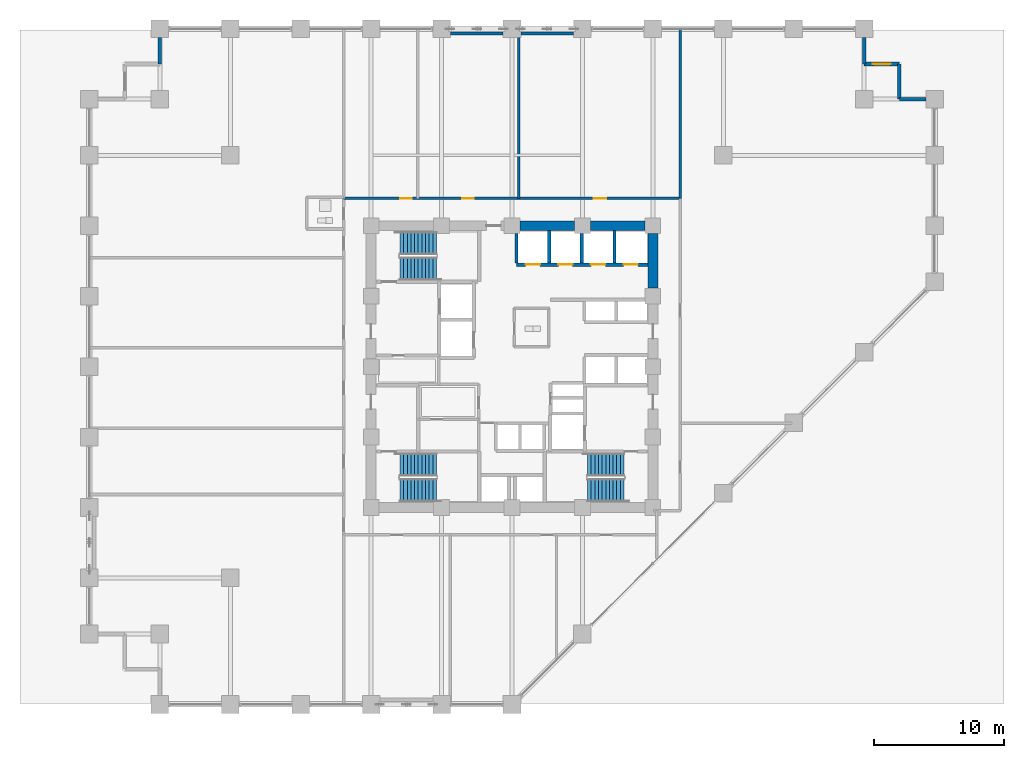
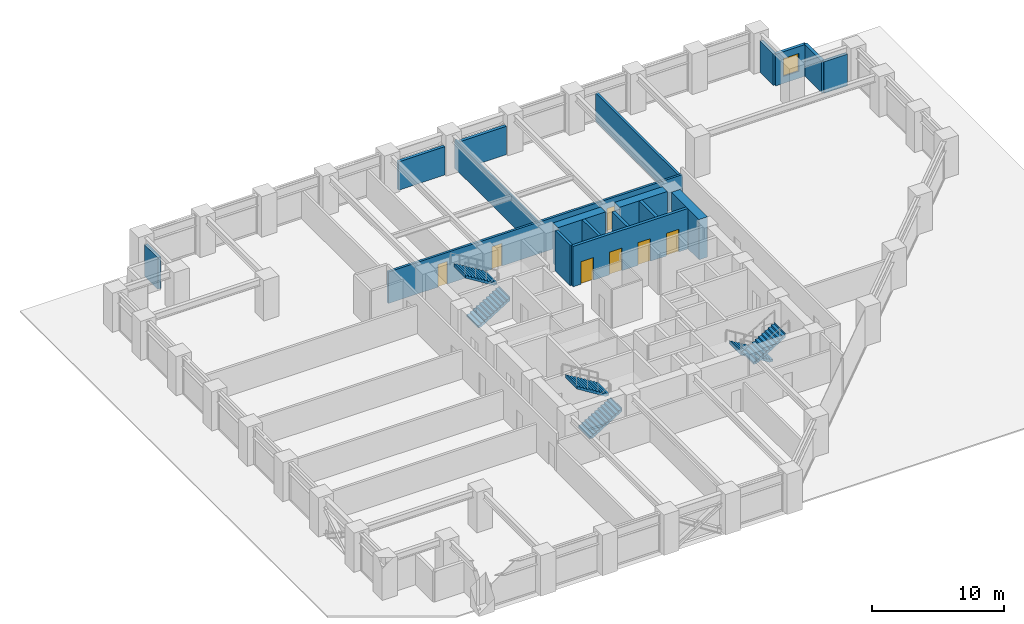
# One storey, part 22 of 27: 18 walls, 7 doors, 6 stair flights, 1 window, 8 openings, 3 elements without a shape of their own.
"""IFC4 building model written with IfcOpenShell, lengths in metres."""

import ifcopenshell
import ifcopenshell.guid

model = None  # the IFC model being written
_history = None  # IfcOwnerHistory: only IFC2X3 demands one
_inside = {}  # id of a spatial element -> (the spatial element, [elements in it])
_under = {}  # id of a project, library or spatial element -> (it, [spatial elements below it])
_declared = {}  # id of a project -> (the project, [libraries it declares])
_typed = {}  # id of a type object -> (the type object, [elements of that type])
_made_of = {}  # id of a material, layer set ... -> (it, [elements and type objects made of it])


def new_model(schema):
    """Start an empty IFC model of exactly this schema.

    Asked for "IFC4X3", IfcOpenShell would pick the latest addendum, in which some entities
    have other attributes; the version numbers below select the first issue.
    IFC2X3 requires an IfcOwnerHistory on every rooted entity: one is made here for all.
    """
    global model, _history
    if schema == "IFC4X3":
        model = ifcopenshell.file(schema_version=(4, 3, 0, 0))
    else:
        model = ifcopenshell.file(schema=schema)
    _inside.clear()
    _under.clear()
    _declared.clear()
    _typed.clear()
    _made_of.clear()
    _history = None
    if model.schema == "IFC2X3":
        org = make("IfcOrganization", Name="unknown")
        user = make(
            "IfcPersonAndOrganization",
            ThePerson=make("IfcPerson", FamilyName="unknown"),
            TheOrganization=org,
        )
        app = make(
            "IfcApplication",
            ApplicationDeveloper=org,
            Version="unknown",
            ApplicationFullName="unknown",
            ApplicationIdentifier="unknown",
        )
        _history = make(
            "IfcOwnerHistory",
            OwningUser=user,
            OwningApplication=app,
            ChangeAction="ADDED",
            CreationDate=0,
        )
    return model


def make(cls, **values):
    """One entity of the class cls with the attributes given. An attribute that is None is left unset."""
    return model.create_entity(
        cls, **{name: value for name, value in values.items() if value is not None}
    )


def rooted(cls, **values):
    """An entity with a GlobalId (a new one), such as an element, a storey or a relation."""
    return make(cls, GlobalId=ifcopenshell.guid.new(), OwnerHistory=_history, **values)


def si_unit(unit_type, name, prefix=None):
    """IfcSIUnit, for example si_unit("LENGTHUNIT", "METRE", prefix="MILLI")."""
    return make("IfcSIUnit", UnitType=unit_type, Prefix=prefix, Name=name)


def assignment(units):
    """IfcUnitAssignment: the units of a project."""
    return None if units is None else make("IfcUnitAssignment", Units=units)


def point(xyz):
    """IfcCartesianPoint."""
    return None if xyz is None else make("IfcCartesianPoint", Coordinates=xyz)


def direction(xyz):
    """IfcDirection."""
    return None if xyz is None else make("IfcDirection", DirectionRatios=xyz)


def frame(location, z_axis=None, x_axis=None):
    """IfcAxis2Placement3D, a coordinate frame: its origin and axes. An axis left out is left unset."""
    return make(
        "IfcAxis2Placement3D",
        Location=point(location),
        Axis=direction(z_axis),
        RefDirection=direction(x_axis),
    )


def frame_2d(location, x_axis=None):
    """IfcAxis2Placement2D, a coordinate frame in the plane: its origin and x axis."""
    return make(
        "IfcAxis2Placement2D", Location=point(location), RefDirection=direction(x_axis)
    )


def origin():
    """The frame at (0, 0, 0) with its axes left unset."""
    return frame((0.0, 0.0, 0.0))


def place(relative_to, where):
    """IfcLocalPlacement: puts the frame where relative to a parent placement (None: the world)."""
    return make(
        "IfcLocalPlacement", PlacementRelTo=relative_to, RelativePlacement=where
    )


def context(
    kind, dimensions, precision=None, world=None, true_north=None, identifier=None
):
    """IfcGeometricRepresentationContext, for example the 3D "Model" context."""
    return make(
        "IfcGeometricRepresentationContext",
        ContextIdentifier=identifier,
        ContextType=kind,
        CoordinateSpaceDimension=dimensions,
        Precision=precision,
        WorldCoordinateSystem=world,
        TrueNorth=true_north,
    )


def subcontext(parent, identifier, kind, view, scale=None):
    """IfcGeometricRepresentationSubContext, for example "Body" below "Model"."""
    return make(
        "IfcGeometricRepresentationSubContext",
        ContextIdentifier=identifier,
        ContextType=kind,
        ParentContext=parent,
        TargetScale=scale,
        TargetView=view,
    )


def project(units=None, contexts=None):
    """IfcProject with its units and contexts."""
    return rooted(
        "IfcProject",
        Name="project",
        RepresentationContexts=contexts,
        UnitsInContext=assignment(units),
    )


def spatial(cls, under=None, at=None, **own):
    """A site, building, storey or space (cls), placed at a placement, below another one or the project."""
    s = rooted(cls, ObjectPlacement=at, **own)
    if under is not None:
        _under.setdefault(under.id(), (under, []))[1].append(s)
    return s


def polyline(points):
    """IfcPolyline through the points."""
    return make("IfcPolyline", Points=[point(p) for p in points])


def profile(cls, at=None, kind="AREA", **sizes):
    """A parametric profile (cls). Its sizes go by their IFC names, for example OverallWidth=200.0."""
    return make(cls, ProfileType=kind, Position=at, **sizes)


def rectangle(**sizes):
    """IfcRectangleProfileDef."""
    return profile("IfcRectangleProfileDef", **sizes)


def outline(outer, holes=None, kind="AREA"):
    """IfcArbitraryClosedProfileDef: a profile drawn as a closed curve; with holes, ...WithVoids."""
    if holes is None:
        return make("IfcArbitraryClosedProfileDef", ProfileType=kind, OuterCurve=outer)
    return make(
        "IfcArbitraryProfileDefWithVoids",
        ProfileType=kind,
        OuterCurve=outer,
        InnerCurves=holes,
    )


def extrude(swept, where, along, depth):
    """IfcExtrudedAreaSolid: the profile swept, set in the frame where, extruded along a direction by depth."""
    return make(
        "IfcExtrudedAreaSolid",
        SweptArea=swept,
        Position=where,
        ExtrudedDirection=direction(along),
        Depth=depth,
    )


def shape(context_of_items, identifier, shape_type, items):
    """IfcShapeRepresentation: the items that make up one representation, for example the "Body"."""
    return make(
        "IfcShapeRepresentation",
        ContextOfItems=context_of_items,
        RepresentationIdentifier=identifier,
        RepresentationType=shape_type,
        Items=items,
    )


def material(Name=None, Category=None):
    """IfcMaterial."""
    return make("IfcMaterial", Name=Name, Category=Category)


def layer(
    of_material, thickness, ventilated=None, Name=None, Category=None, Priority=None
):
    """IfcMaterialLayer: one layer of a wall or slab, of a material (None: an air gap)."""
    return make(
        "IfcMaterialLayer",
        Material=of_material,
        LayerThickness=thickness,
        IsVentilated=ventilated,
        Name=Name,
        Category=Category,
        Priority=Priority,
    )


def layer_set(layers, Name=None):
    """IfcMaterialLayerSet."""
    return make("IfcMaterialLayerSet", MaterialLayers=layers, LayerSetName=Name)


def made_of(thing, what):
    """Note that an element or type object is made of a material, layer set ...; save() writes the relation."""
    if what is not None:
        _made_of.setdefault(what.id(), (what, []))[1].append(thing)
    return thing


def type_object(cls, material=None, **own):
    """A type object (cls), such as IfcWallType, which elements share."""
    return made_of(rooted(cls, **own), material)


def element(
    cls,
    number,
    at=None,
    inside=None,
    cuts=None,
    type_object=None,
    material=None,
    context=None,
    identifier="Body",
    shape_type=None,
    held_by="IfcProductDefinitionShape",
    body=None,
    shapes=None,
    **own,
):
    """One element of the class cls, such as IfcWall. Its Tag is "e" and its number.

    at: its placement. inside: the storey or other place that contains it. cuts: it is an
    opening in that element (IfcRelVoidsElement). A single representation is given by context,
    identifier, shape_type and body (its items); several are given by shapes. held_by: the class
    of the entity that holds the representations. save() writes the other relations.
    """
    e = rooted(cls, Tag="e%d" % number, ObjectPlacement=at, **own)
    if body is not None:
        shapes = [shape(context, identifier, shape_type, body)]
    if shapes is not None:
        e.Representation = make(held_by, Representations=shapes)
    if inside is not None:
        _inside.setdefault(inside.id(), (inside, []))[1].append(e)
    if cuts is not None:
        rooted(
            "IfcRelVoidsElement", RelatingBuildingElement=cuts, RelatedOpeningElement=e
        )
    if type_object is not None:
        _typed.setdefault(type_object.id(), (type_object, []))[1].append(e)
    return made_of(e, material)


def fill(opening, filler):
    """IfcRelFillsElement: the door or window that sits in an opening."""
    return rooted(
        "IfcRelFillsElement",
        RelatingOpeningElement=opening,
        RelatedBuildingElement=filler,
    )


def aggregate(whole, parts):
    """IfcRelAggregates: a whole, such as a stair, and the parts it consists of."""
    return rooted("IfcRelAggregates", RelatingObject=whole, RelatedObjects=parts)


def save(model, path):
    """Write the relations noted so far, then the file.

    IfcRelAggregates (storeys below a building ...), IfcRelContainedInSpatialStructure (elements
    in a storey), IfcRelDefinesByType, IfcRelAssociatesMaterial and IfcRelDeclares: one each for
    every whole, place, type object, material and project.
    """
    for whole, parts in _under.values():
        aggregate(whole, parts)
    for where, things in _inside.values():
        rooted(
            "IfcRelContainedInSpatialStructure",
            RelatedElements=things,
            RelatingStructure=where,
        )
    for kind, things in _typed.values():
        rooted("IfcRelDefinesByType", RelatedObjects=things, RelatingType=kind)
    for what, things in _made_of.values():
        rooted("IfcRelAssociatesMaterial", RelatedObjects=things, RelatingMaterial=what)
    for by, libraries in _declared.values():
        rooted("IfcRelDeclares", RelatingContext=by, RelatedDefinitions=libraries)
    model.write(path)


model = new_model("IFC4")

# Units and contexts
model_context = context("Model", 3, precision=1e-05, world=origin(), true_north=direction((0.0, 1.0)))
body_context = subcontext(model_context, "Body", "Model", "MODEL_VIEW")
ifc_project = project(units=[si_unit("LENGTHUNIT", "METRE"), si_unit("AREAUNIT", "SQUARE_METRE"), si_unit("VOLUMEUNIT", "CUBIC_METRE"), si_unit("PLANEANGLEUNIT", "RADIAN"), si_unit("MASSUNIT", "GRAM", prefix="KILO")], contexts=[model_context])

# Site, building, storey
site_placement = place(None, origin())
site = spatial("IfcSite", under=ifc_project, at=site_placement, CompositionType="ELEMENT")
building_placement = place(site_placement, origin())
building = spatial("IfcBuilding", under=site, at=building_placement, Name="Surkhivell Harbour Commons", CompositionType="ELEMENT")
storey_placement = place(building_placement, frame((0.0, 0.0, 22.5)))
storey = spatial("IfcBuildingStorey", under=building, at=storey_placement, Name="L05", CompositionType="ELEMENT", Elevation=22.5)

# Walls
ifc_material_1 = material(Name="Concrete C60/75", Category="concrete")
ifc_layer_1 = layer(ifc_material_1, 0.75)
ifc_layer_set_1 = layer_set([ifc_layer_1], Name="Concrete C60/75")
wall_type_1 = type_object("IfcWallType", Name="WAL-CORE-750", PredefinedType="SHEAR", material=ifc_layer_set_1)
for number, where, z_axis, x_axis, name in (
    (1, (0.610107421875, 10.800048828125, 0.0), (0.0, 0.0, 1.0), (1.0, 0.0, 0.0), "L05 Core Shear Wall North 3"),
    (2, (6.010009765625, 10.800048828125, 0.0), (0.0, 0.0, 1.0), (1.0, 0.0, 0.0), "L05 Core Shear Wall North 4"),
    (3, (10.800048828125, 6.010009765625, 0.0), (0.0, 0.0, 1.0), (0.0, 1.0, 0.0), "L05 Core Shear Wall East 4"),
):
    element("IfcWall", number, at=place(storey_placement, frame(where, z_axis=z_axis, x_axis=x_axis)), inside=storey, type_object=wall_type_1, Name=name, PredefinedType="SHEAR", context=body_context, shape_type="SweptSolid", body=[
        extrude(rectangle(XDim=4.179931640625, YDim=0.75, at=frame_2d((2.08984375, 0.0))), origin(), (0.0, 0.0, 1.0), 3.75),
    ])
ifc_material_2 = material(Name="Pale-metal insulated precast concrete C45/55", Category="concrete")
ifc_layer_2 = layer(ifc_material_2, 0.260009765625)
ifc_layer_set_2 = layer_set([ifc_layer_2], Name="Pale-metal insulated precast concrete C45/55")
wall_type_2 = type_object("IfcWallType", Name="WAL-EXT-MTL260", PredefinedType="STANDARD", material=ifc_layer_set_2)
for number, where, z_axis, x_axis, name in (
    (4, (-0.673095703125, 25.5400390625, 0.0), (0.0, 0.0, 1.0), (-1.0, 0.0, 0.0), "L05 Braced-Bay Insulated Spandrel Backing N"),
    (5, (4.72705078125, 25.5400390625, 0.0), (0.0, 0.0, 1.0), (-1.0, 0.0, 0.0), "L05 Braced-Bay Insulated Spandrel Backing N2"),
):
    element("IfcWall", number, at=place(storey_placement, frame(where, z_axis=z_axis, x_axis=x_axis)), inside=storey, type_object=wall_type_2, Name=name, PredefinedType="STANDARD", context=body_context, shape_type="SweptSolid", body=[
        extrude(rectangle(XDim=4.053955078125, YDim=0.260009765625, at=frame_2d((2.02685546875, 0.0))), origin(), (0.0, 0.0, 1.0), 2.62890625),
    ])
ifc_material_3 = material(Name="Terracotta-clad reinforced concrete C45/55", Category="masonry")
ifc_layer_3 = layer(ifc_material_3, 0.280029296875)
ifc_layer_set_3 = layer_set([ifc_layer_3], Name="Terracotta-clad reinforced concrete C45/55")
wall_type_3 = type_object("IfcWallType", Name="WAL-EXT-TER280", PredefinedType="STANDARD", material=ifc_layer_set_3)
wall_1_placement = place(storey_placement, frame((31.72705078125, 20.5, 0.0), z_axis=(0.0, 0.0, 1.0), x_axis=(-1.0, 0.0, 0.0)))
element("IfcWall", 6, at=wall_1_placement, inside=storey, type_object=wall_type_3, Name="L05 Serrated Corner Facade Wall 03", PredefinedType="STANDARD", context=body_context, shape_type="SweptSolid", body=[
    extrude(rectangle(XDim=2.027099609375, YDim=0.280029296875, at=frame_2d((1.013671875, 0.0))), origin(), (0.0, 0.0, 1.0), 2.929931640625),
])
wall_2_placement = place(storey_placement, frame((29.699951171875, 20.5, 0.0), z_axis=(0.0, 0.0, 1.0), x_axis=(0.0, 1.0, 0.0)))
element("IfcWall", 7, at=wall_2_placement, inside=storey, type_object=wall_type_3, Name="L05 Serrated Corner Facade Wall 04", PredefinedType="STANDARD", context=body_context, shape_type="SweptSolid", body=[
    extrude(rectangle(XDim=2.699951171875, YDim=0.280029296875, at=frame_2d((1.35009765625, 0.0))), origin(), (0.0, 0.0, 1.0), 2.929931640625),
])

# Wall, opening, window
wall_3_placement = place(storey_placement, frame((29.699951171875, 23.199951171875, 0.0), z_axis=(0.0, 0.0, 1.0), x_axis=(-1.0, 0.0, 0.0)))
wall_3 = element("IfcWall", 8, at=wall_3_placement, inside=storey, type_object=wall_type_3, Name="L05 Serrated Corner Facade Wall 05", PredefinedType="STANDARD", context=body_context, shape_type="SweptSolid", body=[
    extrude(rectangle(XDim=2.699951171875, YDim=0.280029296875, at=frame_2d((1.35009765625, 0.0))), origin(), (0.0, 0.0, 1.0), 2.929931640625),
])
opening_1_placement = place(wall_3_placement, frame((0.675048828125, 0.0, 0.64990234375)))
opening_1 = element("IfcOpeningElement", 9, at=opening_1_placement, cuts=wall_3, Name="Opening WN-08", PredefinedType="OPENING", context=body_context, shape_type="SweptSolid", body=[
    extrude(rectangle(XDim=1.35009765625, YDim=1.64990234375, at=frame_2d((0.675048828125, 0.824951171875))), frame((0.0, 0.14990234375, 0.0), z_axis=(0.0, -1.0, 0.0), x_axis=(1.0, 0.0, 0.0)), (0.0, 0.0, 1.0), 0.300048828125),
])
ifc_material_4 = material(Name="Thermal-break aluminium frame and double low-E glazing", Category="aluminium")
window_type = type_object("IfcWindowType", Name="WIN-SER-1350x1650", PartitioningType="SINGLE_PANEL", PredefinedType="WINDOW", material=ifc_material_4)
window_placement = place(opening_1_placement, origin())
window = element("IfcWindow", 10, at=window_placement, inside=storey, type_object=window_type, Name="L05 Serrated Alcove Window 05", OverallHeight=1.64990234375, OverallWidth=1.35009765625, PartitioningType="SINGLE_PANEL", PredefinedType="WINDOW", context=body_context, shape_type="SweptSolid", body=[
    extrude(rectangle(XDim=1.35009765625, YDim=1.64990234375, at=frame_2d((0.675048828125, 0.824951171875))), frame((0.0, 0.030029296875, 0.0), z_axis=(0.0, -1.0, 0.0), x_axis=(1.0, 0.0, 0.0)), (0.0, 0.0, 1.0), 0.06005859375),
])
fill(opening_1, window)

# Walls
for number, where, z_axis, x_axis, name in (
    (11, (27.0, 23.199951171875, 0.0), (0.0, 0.0, 1.0), (0.0, 1.0, 0.0), "L05 Serrated Corner Facade Wall 06"),
    (12, (-27.0, 25.22705078125, 0.0), (0.0, 0.0, 1.0), (0.0, -1.0, 0.0), "L05 Serrated Corner Facade Wall 08"),
):
    element("IfcWall", number, at=place(storey_placement, frame(where, z_axis=z_axis, x_axis=x_axis)), inside=storey, type_object=wall_type_3, Name=name, PredefinedType="STANDARD", context=body_context, shape_type="SweptSolid", body=[
        extrude(rectangle(XDim=2.027099609375, YDim=0.280029296875, at=frame_2d((1.013671875, 0.0))), origin(), (0.0, 0.0, 1.0), 2.929931640625),
    ])
ifc_material_5 = material(Name="Autoclaved aerated concrete blockwork and fire plaster", Category="masonry")
ifc_layer_4 = layer(ifc_material_5, 0.199951171875)
ifc_layer_set_4 = layer_set([ifc_layer_4], Name="Autoclaved aerated concrete blockwork and fire plaster")
wall_type_4 = type_object("IfcWallType", Name="WAL-INT-200", PredefinedType="PARTITIONING", material=ifc_layer_set_4)
wall_4_placement = place(storey_placement, frame((12.89990234375, 12.89990234375, 0.0), z_axis=(0.0, 0.0, 1.0), x_axis=(0.0, 1.0, 0.0)))
element("IfcWall", 13, at=wall_4_placement, inside=storey, type_object=wall_type_4, Name="L05 North-East Wing Corner Divider", PredefinedType="PARTITIONING", context=body_context, shape_type="SweptSolid", body=[
    extrude(rectangle(XDim=12.940185546875, YDim=0.199951171875, at=frame_2d((6.47021484375, 0.0))), origin(), (0.0, 0.0, 1.0), 2.62890625),
])

# Wall, openings, doors
wall_5_placement = place(storey_placement, frame((-12.89990234375, 12.89990234375, 0.0), z_axis=(0.0, 0.0, 1.0), x_axis=(1.0, 0.0, 0.0)))
wall_5 = element("IfcWall", 14, at=wall_5_placement, inside=storey, type_object=wall_type_4, Name="L05 Corridor North Wall", PredefinedType="PARTITIONING", context=body_context, shape_type="SweptSolid", body=[
    extrude(rectangle(XDim=25.7998046875, YDim=0.199951171875, at=frame_2d((12.89990234375, 0.0))), origin(), (0.0, 0.0, 1.0), 2.929931640625),
])
opening_2_placement = place(wall_5_placement, frame((4.3466796875, 0.0, 0.0)))
opening_2 = element("IfcOpeningElement", 15, at=opening_2_placement, cuts=wall_5, Name="Opening ID-6", PredefinedType="OPENING", context=body_context, shape_type="SweptSolid", body=[
    extrude(rectangle(XDim=0.85009765625, YDim=2.10009765625, at=frame_2d((0.425048828125, 1.050048828125))), frame((0.0, 0.10986328125, 0.0), z_axis=(0.0, -1.0, 0.0), x_axis=(1.0, 0.0, 0.0)), (0.0, 0.0, 1.0), 0.219970703125),
])
opening_3_placement = place(wall_5_placement, frame((9.10009765625, 0.0, 0.0)))
opening_3 = element("IfcOpeningElement", 16, at=opening_3_placement, cuts=wall_5, Name="Opening ID-6", PredefinedType="OPENING", context=body_context, shape_type="SweptSolid", body=[
    extrude(rectangle(XDim=0.85009765625, YDim=2.10009765625, at=frame_2d((0.425048828125, 1.050048828125))), frame((0.0, 0.10986328125, 0.0), z_axis=(0.0, -1.0, 0.0), x_axis=(1.0, 0.0, 0.0)), (0.0, 0.0, 1.0), 0.219970703125),
])
opening_4_placement = place(wall_5_placement, frame((19.159912109375, 0.0, 0.0)))
opening_4 = element("IfcOpeningElement", 17, at=opening_4_placement, cuts=wall_5, Name="Opening ID-4", PredefinedType="OPENING", context=body_context, shape_type="SweptSolid", body=[
    extrude(rectangle(XDim=0.949951171875, YDim=2.10009765625, at=frame_2d((0.47509765625, 1.050048828125))), frame((0.0, 0.10986328125, 0.0), z_axis=(0.0, -1.0, 0.0), x_axis=(1.0, 0.0, 0.0)), (0.0, 0.0, 1.0), 0.219970703125),
])
ifc_material_6 = material(Name="Hardwood-veneered fire-rated door leaf", Category="wood")
door_type_1 = type_object("IfcDoorType", Name="DOR-FD30-850", OperationType="NOTDEFINED", PredefinedType="DOOR", material=ifc_material_6)
door_1_placement = place(opening_2_placement, origin())
door_1 = element("IfcDoor", 18, at=door_1_placement, inside=storey, type_object=door_type_1, Name="L05 Co-Working Study Office 1 North Door", OperationType="SINGLE_SWING_RIGHT", OverallHeight=2.10009765625, OverallWidth=0.85009765625, PredefinedType="DOOR", context=body_context, shape_type="SweptSolid", body=[
    extrude(rectangle(XDim=0.85009765625, YDim=2.10009765625, at=frame_2d((0.425048828125, 1.050048828125))), frame((0.0, 0.02490234375, 0.0), z_axis=(0.0, -1.0, 0.0), x_axis=(1.0, 0.0, 0.0)), (0.0, 0.0, 1.0), 0.050048828125),
])
fill(opening_2, door_1)
door_2_placement = place(opening_3_placement, origin())
door_2 = element("IfcDoor", 19, at=door_2_placement, inside=storey, type_object=door_type_1, Name="L05 Co-Working Study Office 2 North Door", OperationType="SINGLE_SWING_LEFT", OverallHeight=2.10009765625, OverallWidth=0.85009765625, PredefinedType="DOOR", context=body_context, shape_type="SweptSolid", body=[
    extrude(rectangle(XDim=0.85009765625, YDim=2.10009765625, at=frame_2d((0.425048828125, 1.050048828125))), frame((0.0, 0.02490234375, 0.0), z_axis=(0.0, -1.0, 0.0), x_axis=(1.0, 0.0, 0.0)), (0.0, 0.0, 1.0), 0.050048828125),
])
fill(opening_3, door_2)
door_type_2 = type_object("IfcDoorType", Name="DOR-FD60-950", OperationType="NOTDEFINED", PredefinedType="DOOR", material=ifc_material_6)
door_3_placement = place(opening_4_placement, origin())
door_3 = element("IfcDoor", 20, at=door_3_placement, inside=storey, type_object=door_type_2, Name="L05 Co-Working Study Office 3 North Door", OperationType="SINGLE_SWING_RIGHT", OverallHeight=2.10009765625, OverallWidth=0.949951171875, PredefinedType="DOOR", context=body_context, shape_type="SweptSolid", body=[
    extrude(rectangle(XDim=0.949951171875, YDim=2.10009765625, at=frame_2d((0.47509765625, 1.050048828125))), frame((0.0, 0.02490234375, 0.0), z_axis=(0.0, -1.0, 0.0), x_axis=(1.0, 0.0, 0.0)), (0.0, 0.0, 1.0), 0.050048828125),
])
fill(opening_4, door_3)

# Walls
wall_6_placement = place(storey_placement, frame((0.52001953125, 12.89990234375, 0.0), z_axis=(0.0, 0.0, 1.0), x_axis=(0.0, 1.0, 0.0)))
element("IfcWall", 21, at=wall_6_placement, inside=storey, type_object=wall_type_4, Name="L05 North Partition P2", PredefinedType="PARTITIONING", context=body_context, shape_type="SweptSolid", body=[
    extrude(rectangle(XDim=12.940185546875, YDim=0.199951171875, at=frame_2d((6.47021484375, 0.0))), origin(), (0.0, 0.0, 1.0), 2.62890625),
])
ifc_material_7 = material(Name="Concrete C50/60", Category="concrete")
ifc_layer_5 = layer(ifc_material_7, 0.25)
ifc_layer_set_5 = layer_set([ifc_layer_5], Name="Concrete C50/60")
wall_type_5 = type_object("IfcWallType", Name="WAL-SHAFT-250", PredefinedType="SHEAR", material=ifc_layer_set_5)
wall_7_placement = place(storey_placement, frame((2.85009765625, 7.93994140625, 0.0), z_axis=(0.0, 0.0, 1.0), x_axis=(0.0, 1.0, 0.0)))
element("IfcWall", 22, at=wall_7_placement, inside=storey, type_object=wall_type_5, Name="L05 Low-Rise Hoistway Wall", PredefinedType="SHEAR", context=body_context, shape_type="SweptSolid", body=[
    extrude(rectangle(XDim=2.485107421875, YDim=0.25, at=frame_2d((1.24267578125, 0.0))), origin(), (0.0, 0.0, 1.0), 3.75),
])
for number, where, z_axis, x_axis, name in (
    (23, (0.35009765625, 7.93994140625, 0.0), (0.0, 0.0, 1.0), (0.0, 1.0, 0.0), "L05 Low-Rise Hoistway Wall"),
    (24, (5.35009765625, 7.93994140625, 0.0), (0.0, 0.0, 1.0), (0.0, 1.0, 0.0), "L05 Low-Rise Hoistway Wall"),
):
    element("IfcWall", number, at=place(storey_placement, frame(where, z_axis=z_axis, x_axis=x_axis)), inside=storey, type_object=wall_type_5, Name=name, PredefinedType="SHEAR", context=body_context, shape_type="SweptSolid", body=[
        extrude(rectangle(XDim=2.260009765625, YDim=0.25, at=frame_2d((1.1298828125, 0.0))), origin(), (0.0, 0.0, 1.0), 3.75),
    ])
wall_8_placement = place(storey_placement, frame((7.85009765625, 7.93994140625, 0.0), z_axis=(0.0, 0.0, 1.0), x_axis=(0.0, 1.0, 0.0)))
element("IfcWall", 25, at=wall_8_placement, inside=storey, type_object=wall_type_5, Name="L05 Low-Rise Hoistway Wall", PredefinedType="SHEAR", context=body_context, shape_type="SweptSolid", body=[
    extrude(rectangle(XDim=2.485107421875, YDim=0.25, at=frame_2d((1.24267578125, 0.0))), origin(), (0.0, 0.0, 1.0), 3.75),
])

# Wall, openings, doors
wall_9_placement = place(storey_placement, frame((0.35009765625, 7.820068359375, 0.0), z_axis=(0.0, 0.0, 1.0), x_axis=(1.0, 0.0, 0.0)))
wall_9 = element("IfcWall", 26, at=wall_9_placement, inside=storey, type_object=wall_type_5, Name="L05 Low-Rise Lift Front Shaft Wall", PredefinedType="SHEAR", context=body_context, shape_type="SweptSolid", body=[
    extrude(rectangle(XDim=10.074951171875, YDim=0.25, at=frame_2d((5.03759765625, 0.0))), origin(), (0.0, 0.0, 1.0), 3.75),
])
opening_5_placement = place(wall_9_placement, frame((0.699951171875, 0.0, 0.0)))
opening_5 = element("IfcOpeningElement", 27, at=opening_5_placement, cuts=wall_9, Name="Opening LD-1", PredefinedType="OPENING", context=body_context, shape_type="SweptSolid", body=[
    extrude(rectangle(XDim=1.10009765625, YDim=2.10009765625, at=frame_2d((0.550048828125, 1.050048828125))), frame((0.0, 0.135009765625, 0.0), z_axis=(0.0, -1.0, 0.0), x_axis=(1.0, 0.0, 0.0)), (0.0, 0.0, 1.0), 0.27001953125),
])
opening_6_placement = place(wall_9_placement, frame((3.199951171875, 0.0, 0.0)))
opening_6 = element("IfcOpeningElement", 28, at=opening_6_placement, cuts=wall_9, Name="Opening LD-1", PredefinedType="OPENING", context=body_context, shape_type="SweptSolid", body=[
    extrude(rectangle(XDim=1.10009765625, YDim=2.10009765625, at=frame_2d((0.550048828125, 1.050048828125))), frame((0.0, 0.135009765625, 0.0), z_axis=(0.0, -1.0, 0.0), x_axis=(1.0, 0.0, 0.0)), (0.0, 0.0, 1.0), 0.27001953125),
])
opening_7_placement = place(wall_9_placement, frame((5.699951171875, 0.0, 0.0)))
opening_7 = element("IfcOpeningElement", 29, at=opening_7_placement, cuts=wall_9, Name="Opening LD-1", PredefinedType="OPENING", context=body_context, shape_type="SweptSolid", body=[
    extrude(rectangle(XDim=1.10009765625, YDim=2.10009765625, at=frame_2d((0.550048828125, 1.050048828125))), frame((0.0, 0.135009765625, 0.0), z_axis=(0.0, -1.0, 0.0), x_axis=(1.0, 0.0, 0.0)), (0.0, 0.0, 1.0), 0.27001953125),
])
opening_8_placement = place(wall_9_placement, frame((8.199951171875, 0.0, 0.0)))
opening_8 = element("IfcOpeningElement", 30, at=opening_8_placement, cuts=wall_9, Name="Opening LD-1", PredefinedType="OPENING", context=body_context, shape_type="SweptSolid", body=[
    extrude(rectangle(XDim=1.10009765625, YDim=2.10009765625, at=frame_2d((0.550048828125, 1.050048828125))), frame((0.0, 0.135009765625, 0.0), z_axis=(0.0, -1.0, 0.0), x_axis=(1.0, 0.0, 0.0)), (0.0, 0.0, 1.0), 0.27001953125),
])
ifc_material_8 = material(Name="Brushed stainless steel S355", Category="steel")
door_type_3 = type_object("IfcDoorType", Name="DOR-LD-1100", OperationType="SLIDING_TO_LEFT", PredefinedType="DOOR", material=ifc_material_8)
door_4_placement = place(opening_5_placement, origin())
door_4 = element("IfcDoor", 31, at=door_4_placement, inside=storey, type_object=door_type_3, Name="L05 Lift Landing Door LD-PL1", OperationType="SLIDING_TO_LEFT", OverallHeight=2.10009765625, OverallWidth=1.10009765625, PredefinedType="DOOR", context=body_context, shape_type="SweptSolid", body=[
    extrude(rectangle(XDim=1.10009765625, YDim=2.10009765625, at=frame_2d((0.550048828125, 1.050048828125))), frame((0.0, 0.02490234375, 0.0), z_axis=(0.0, -1.0, 0.0), x_axis=(1.0, 0.0, 0.0)), (0.0, 0.0, 1.0), 0.050048828125),
])
fill(opening_5, door_4)
door_5_placement = place(opening_6_placement, origin())
door_5 = element("IfcDoor", 32, at=door_5_placement, inside=storey, type_object=door_type_3, Name="L05 Lift Landing Door LD-PL2", OperationType="SLIDING_TO_LEFT", OverallHeight=2.10009765625, OverallWidth=1.10009765625, PredefinedType="DOOR", context=body_context, shape_type="SweptSolid", body=[
    extrude(rectangle(XDim=1.10009765625, YDim=2.10009765625, at=frame_2d((0.550048828125, 1.050048828125))), frame((0.0, 0.02490234375, 0.0), z_axis=(0.0, -1.0, 0.0), x_axis=(1.0, 0.0, 0.0)), (0.0, 0.0, 1.0), 0.050048828125),
])
fill(opening_6, door_5)
door_6_placement = place(opening_7_placement, origin())
door_6 = element("IfcDoor", 33, at=door_6_placement, inside=storey, type_object=door_type_3, Name="L05 Lift Landing Door LD-PL3", OperationType="SLIDING_TO_LEFT", OverallHeight=2.10009765625, OverallWidth=1.10009765625, PredefinedType="DOOR", context=body_context, shape_type="SweptSolid", body=[
    extrude(rectangle(XDim=1.10009765625, YDim=2.10009765625, at=frame_2d((0.550048828125, 1.050048828125))), frame((0.0, 0.02490234375, 0.0), z_axis=(0.0, -1.0, 0.0), x_axis=(1.0, 0.0, 0.0)), (0.0, 0.0, 1.0), 0.050048828125),
])
fill(opening_7, door_6)
door_7_placement = place(opening_8_placement, origin())
door_7 = element("IfcDoor", 34, at=door_7_placement, inside=storey, type_object=door_type_3, Name="L05 Lift Landing Door LD-PL4", OperationType="SLIDING_TO_LEFT", OverallHeight=2.10009765625, OverallWidth=1.10009765625, PredefinedType="DOOR", context=body_context, shape_type="SweptSolid", body=[
    extrude(rectangle(XDim=1.10009765625, YDim=2.10009765625, at=frame_2d((0.550048828125, 1.050048828125))), frame((0.0, 0.02490234375, 0.0), z_axis=(0.0, -1.0, 0.0), x_axis=(1.0, 0.0, 0.0)), (0.0, 0.0, 1.0), 0.050048828125),
])
fill(opening_8, door_7)

# Stair, stair flights
ifc_material_9 = material(Name="Precast concrete C45/55", Category="concrete")
stair_type = type_object("IfcStairType", Name="STR-DL-375", PredefinedType="HALF_TURN_STAIR", material=ifc_material_9)
stair_1_placement = place(storey_placement, origin())
stair_1 = element("IfcStair", 35, at=stair_1_placement, inside=storey, type_object=stair_type, Name="L05 Core Exit Stair ST1", PredefinedType="HALF_TURN_STAIR")
stair_flight_type = type_object("IfcStairFlightType", Name="STF-DL-375", PredefinedType="STRAIGHT", material=ifc_material_9)
stair_flight_1_placement = place(storey_placement, frame((-8.590087890625, 7.514892578125, 0.0), z_axis=(0.0, 0.0, 1.0), x_axis=(1.0, 0.0, 0.0)))
stair_flight_1 = element("IfcStairFlight", 36, at=stair_flight_1_placement, type_object=stair_flight_type, Name="ST1 flight 1", NumberOfRisers=11, NumberOfTreads=10, PredefinedType="STRAIGHT", RiserHeight=0.170454545, TreadLength=0.28, context=body_context, shape_type="SweptSolid", body=[
    extrude(outline(polyline([(-0.0029296875, -0.034912109375), (-0.0029296875, 0.0), (0.0, 0.0), (0.0, 0.17041015625), (0.280029296875, 0.17041015625), (0.280029296875, 0.3408203125), (0.56005859375, 0.3408203125), (0.56005859375, 0.511474609375), (0.840087890625, 0.511474609375), (0.840087890625, 0.681884765625), (1.1201171875, 0.681884765625), (1.1201171875, 0.852294921875), (1.39990234375, 0.852294921875), (1.39990234375, 1.022705078125), (1.679931640625, 1.022705078125), (1.679931640625, 1.193115234375), (1.9599609375, 1.193115234375), (1.9599609375, 1.363525390625), (2.239990234375, 1.363525390625), (2.239990234375, 1.5341796875), (2.52001953125, 1.5341796875), (2.52001953125, 1.70458984375), (2.800048828125, 1.70458984375), (2.800048828125, 1.875), (2.802978515625, 1.875), (2.802978515625, 1.529052734375), (0.288330078125, -0.034912109375), (-0.0029296875, -0.034912109375)])), frame((0.0, 0.875, 0.0), z_axis=(0.0, -1.0, 0.0), x_axis=(1.0, 0.0, 0.0)), (0.0, 0.0, 1.0), 1.75),
])
stair_flight_2_placement = place(storey_placement, frame((-5.7900390625, 9.465087890625, 1.875), z_axis=(0.0, 0.0, 1.0), x_axis=(-1.0, 0.0, 0.0)))
stair_flight_2 = element("IfcStairFlight", 37, at=stair_flight_2_placement, type_object=stair_flight_type, Name="ST1 flight 2", NumberOfRisers=11, NumberOfTreads=10, PredefinedType="STRAIGHT", RiserHeight=0.170454545, TreadLength=0.28, context=body_context, shape_type="SweptSolid", body=[
    extrude(outline(polyline([(-0.0029296875, -0.034912109375), (-0.0029296875, 0.0), (0.0, 0.0), (0.0, 0.17041015625), (0.280029296875, 0.17041015625), (0.280029296875, 0.3408203125), (0.56005859375, 0.3408203125), (0.56005859375, 0.511474609375), (0.840087890625, 0.511474609375), (0.840087890625, 0.681884765625), (1.1201171875, 0.681884765625), (1.1201171875, 0.852294921875), (1.39990234375, 0.852294921875), (1.39990234375, 1.022705078125), (1.679931640625, 1.022705078125), (1.679931640625, 1.193115234375), (1.9599609375, 1.193115234375), (1.9599609375, 1.363525390625), (2.239990234375, 1.363525390625), (2.239990234375, 1.5341796875), (2.52001953125, 1.5341796875), (2.52001953125, 1.70458984375), (2.800048828125, 1.70458984375), (2.800048828125, 1.875), (2.802978515625, 1.875), (2.802978515625, 1.529052734375), (0.288330078125, -0.034912109375), (-0.0029296875, -0.034912109375)])), frame((0.0, 0.875, 0.0), z_axis=(0.0, -1.0, 0.0), x_axis=(1.0, 0.0, 0.0)), (0.0, 0.0, 1.0), 1.75),
])
aggregate(stair_1, [stair_flight_1, stair_flight_2])

stair_2_placement = place(storey_placement, origin())
stair_2 = element("IfcStair", 38, at=stair_2_placement, inside=storey, type_object=stair_type, Name="L05 Core Exit Stair ST2", PredefinedType="HALF_TURN_STAIR")
stair_flight_3_placement = place(storey_placement, frame((8.590087890625, -7.514892578125, 0.0), z_axis=(0.0, 0.0, 1.0), x_axis=(-1.0, 0.0, 0.0)))
stair_flight_3 = element("IfcStairFlight", 39, at=stair_flight_3_placement, type_object=stair_flight_type, Name="ST2 flight 1", NumberOfRisers=11, NumberOfTreads=10, PredefinedType="STRAIGHT", RiserHeight=0.170454545, TreadLength=0.28, context=body_context, shape_type="SweptSolid", body=[
    extrude(outline(polyline([(-0.0029296875, -0.034912109375), (-0.0029296875, 0.0), (0.0, 0.0), (0.0, 0.17041015625), (0.280029296875, 0.17041015625), (0.280029296875, 0.3408203125), (0.56005859375, 0.3408203125), (0.56005859375, 0.511474609375), (0.840087890625, 0.511474609375), (0.840087890625, 0.681884765625), (1.1201171875, 0.681884765625), (1.1201171875, 0.852294921875), (1.39990234375, 0.852294921875), (1.39990234375, 1.022705078125), (1.679931640625, 1.022705078125), (1.679931640625, 1.193115234375), (1.9599609375, 1.193115234375), (1.9599609375, 1.363525390625), (2.239990234375, 1.363525390625), (2.239990234375, 1.5341796875), (2.52001953125, 1.5341796875), (2.52001953125, 1.70458984375), (2.800048828125, 1.70458984375), (2.800048828125, 1.875), (2.802978515625, 1.875), (2.802978515625, 1.529052734375), (0.288330078125, -0.034912109375), (-0.0029296875, -0.034912109375)])), frame((0.0, 0.875, 0.0), z_axis=(0.0, -1.0, 0.0), x_axis=(1.0, 0.0, 0.0)), (0.0, 0.0, 1.0), 1.75),
])
stair_flight_4_placement = place(storey_placement, frame((5.7900390625, -9.465087890625, 1.875), z_axis=(0.0, 0.0, 1.0), x_axis=(1.0, 0.0, 0.0)))
stair_flight_4 = element("IfcStairFlight", 40, at=stair_flight_4_placement, type_object=stair_flight_type, Name="ST2 flight 2", NumberOfRisers=11, NumberOfTreads=10, PredefinedType="STRAIGHT", RiserHeight=0.170454545, TreadLength=0.28, context=body_context, shape_type="SweptSolid", body=[
    extrude(outline(polyline([(-0.0029296875, -0.034912109375), (-0.0029296875, 0.0), (0.0, 0.0), (0.0, 0.17041015625), (0.280029296875, 0.17041015625), (0.280029296875, 0.3408203125), (0.56005859375, 0.3408203125), (0.56005859375, 0.511474609375), (0.840087890625, 0.511474609375), (0.840087890625, 0.681884765625), (1.1201171875, 0.681884765625), (1.1201171875, 0.852294921875), (1.39990234375, 0.852294921875), (1.39990234375, 1.022705078125), (1.679931640625, 1.022705078125), (1.679931640625, 1.193115234375), (1.9599609375, 1.193115234375), (1.9599609375, 1.363525390625), (2.239990234375, 1.363525390625), (2.239990234375, 1.5341796875), (2.52001953125, 1.5341796875), (2.52001953125, 1.70458984375), (2.800048828125, 1.70458984375), (2.800048828125, 1.875), (2.802978515625, 1.875), (2.802978515625, 1.529052734375), (0.288330078125, -0.034912109375), (-0.0029296875, -0.034912109375)])), frame((0.0, 0.875, 0.0), z_axis=(0.0, -1.0, 0.0), x_axis=(1.0, 0.0, 0.0)), (0.0, 0.0, 1.0), 1.75),
])
aggregate(stair_2, [stair_flight_3, stair_flight_4])

stair_3_placement = place(storey_placement, origin())
stair_3 = element("IfcStair", 41, at=stair_3_placement, inside=storey, type_object=stair_type, Name="L05 Core Exit Stair ST3", PredefinedType="HALF_TURN_STAIR")
stair_flight_5_placement = place(storey_placement, frame((-8.590087890625, -9.465087890625, 0.0), z_axis=(0.0, 0.0, 1.0), x_axis=(1.0, 0.0, 0.0)))
stair_flight_5 = element("IfcStairFlight", 42, at=stair_flight_5_placement, type_object=stair_flight_type, Name="ST3 flight 1", NumberOfRisers=11, NumberOfTreads=10, PredefinedType="STRAIGHT", RiserHeight=0.170454545, TreadLength=0.28, context=body_context, shape_type="SweptSolid", body=[
    extrude(outline(polyline([(-0.0029296875, -0.034912109375), (-0.0029296875, 0.0), (0.0, 0.0), (0.0, 0.17041015625), (0.280029296875, 0.17041015625), (0.280029296875, 0.3408203125), (0.56005859375, 0.3408203125), (0.56005859375, 0.511474609375), (0.840087890625, 0.511474609375), (0.840087890625, 0.681884765625), (1.1201171875, 0.681884765625), (1.1201171875, 0.852294921875), (1.39990234375, 0.852294921875), (1.39990234375, 1.022705078125), (1.679931640625, 1.022705078125), (1.679931640625, 1.193115234375), (1.9599609375, 1.193115234375), (1.9599609375, 1.363525390625), (2.239990234375, 1.363525390625), (2.239990234375, 1.5341796875), (2.52001953125, 1.5341796875), (2.52001953125, 1.70458984375), (2.800048828125, 1.70458984375), (2.800048828125, 1.875), (2.802978515625, 1.875), (2.802978515625, 1.529052734375), (0.288330078125, -0.034912109375), (-0.0029296875, -0.034912109375)])), frame((0.0, 0.875, 0.0), z_axis=(0.0, -1.0, 0.0), x_axis=(1.0, 0.0, 0.0)), (0.0, 0.0, 1.0), 1.75),
])
stair_flight_6_placement = place(storey_placement, frame((-5.7900390625, -7.514892578125, 1.875), z_axis=(0.0, 0.0, 1.0), x_axis=(-1.0, 0.0, 0.0)))
stair_flight_6 = element("IfcStairFlight", 43, at=stair_flight_6_placement, type_object=stair_flight_type, Name="ST3 flight 2", NumberOfRisers=11, NumberOfTreads=10, PredefinedType="STRAIGHT", RiserHeight=0.170454545, TreadLength=0.28, context=body_context, shape_type="SweptSolid", body=[
    extrude(outline(polyline([(-0.0029296875, -0.034912109375), (-0.0029296875, 0.0), (0.0, 0.0), (0.0, 0.17041015625), (0.280029296875, 0.17041015625), (0.280029296875, 0.3408203125), (0.56005859375, 0.3408203125), (0.56005859375, 0.511474609375), (0.840087890625, 0.511474609375), (0.840087890625, 0.681884765625), (1.1201171875, 0.681884765625), (1.1201171875, 0.852294921875), (1.39990234375, 0.852294921875), (1.39990234375, 1.022705078125), (1.679931640625, 1.022705078125), (1.679931640625, 1.193115234375), (1.9599609375, 1.193115234375), (1.9599609375, 1.363525390625), (2.239990234375, 1.363525390625), (2.239990234375, 1.5341796875), (2.52001953125, 1.5341796875), (2.52001953125, 1.70458984375), (2.800048828125, 1.70458984375), (2.800048828125, 1.875), (2.802978515625, 1.875), (2.802978515625, 1.529052734375), (0.288330078125, -0.034912109375), (-0.0029296875, -0.034912109375)])), frame((0.0, 0.875, 0.0), z_axis=(0.0, -1.0, 0.0), x_axis=(1.0, 0.0, 0.0)), (0.0, 0.0, 1.0), 1.75),
])
aggregate(stair_3, [stair_flight_5, stair_flight_6])

save(model, "model.ifc")
